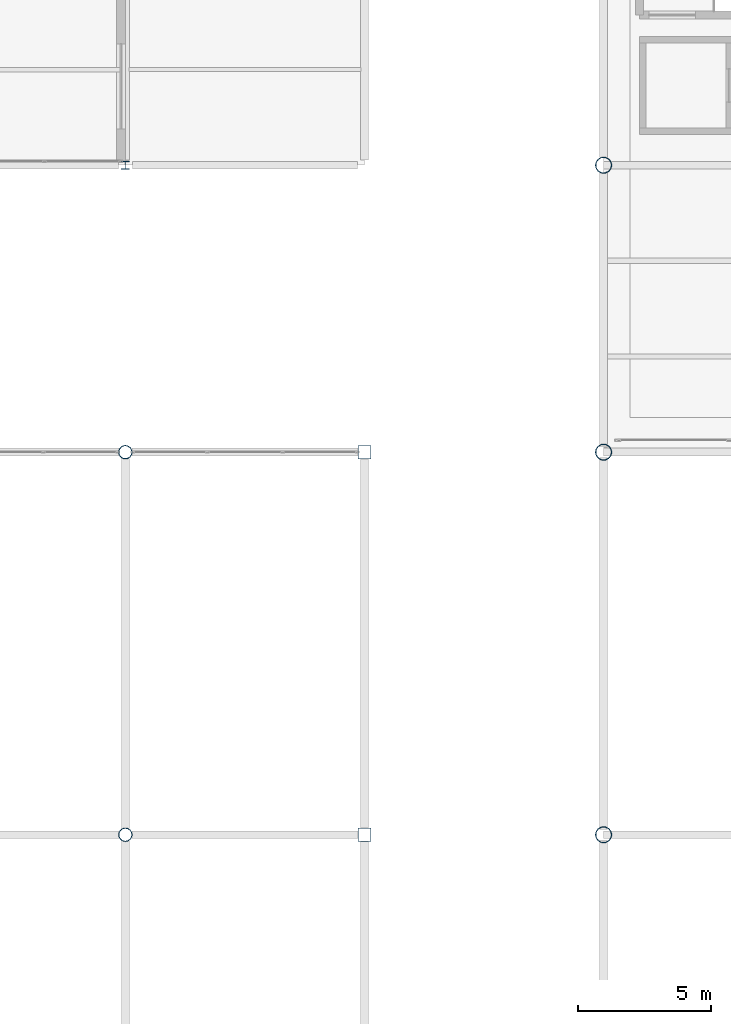
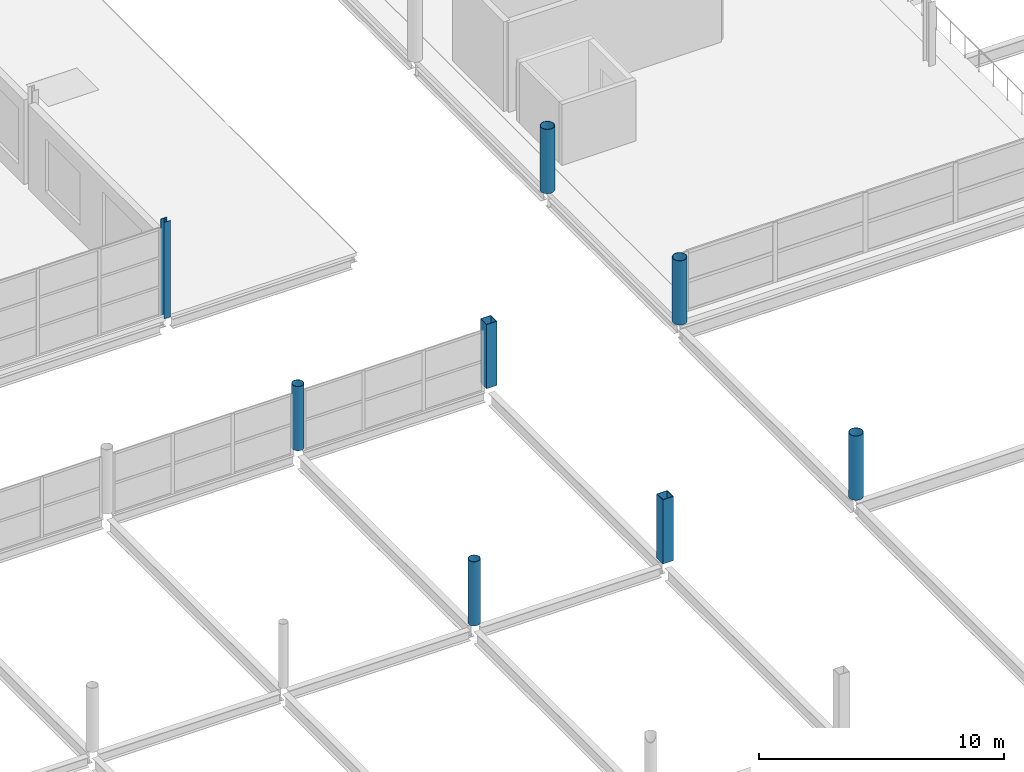
# One storey, part 8 of 134: 8 columns.
"""IFC4 building model written with IfcOpenShell, lengths in metres."""

from ifc_helpers import new_model, si_unit, direction, frame, origin, origin_2d, place, context, subcontext, project, spatial, hollow_rectangle, hollow_circle, i_section, extrude, material, material_profile, profile_set, type_object, element, save


model = new_model("IFC4")

# Units and contexts
model_context = context("Model", 3, precision=1e-05, world=origin(), true_north=direction((0.0, 1.0)))
body_context = subcontext(model_context, "Body", "Model", "MODEL_VIEW")
ifc_project = project(units=[si_unit("LENGTHUNIT", "METRE"), si_unit("AREAUNIT", "SQUARE_METRE"), si_unit("VOLUMEUNIT", "CUBIC_METRE"), si_unit("PLANEANGLEUNIT", "RADIAN"), si_unit("MASSUNIT", "GRAM", prefix="KILO")], contexts=[model_context])

# Site, building, storey
site_placement = place(None, origin())
site = spatial("IfcSite", under=ifc_project, at=site_placement, CompositionType="ELEMENT")
building_placement = place(site_placement, origin())
building = spatial("IfcBuilding", under=site, at=building_placement, Name="Tamarisk Ironworks Central Station", CompositionType="ELEMENT")
storey_placement = place(building_placement, frame((0.0, 0.0, 12.60009765625)))
storey = spatial("IfcBuildingStorey", under=building, at=storey_placement, Name="L02", CompositionType="ELEMENT", Elevation=12.60009765625)

# Columns
ifc_material_1 = material(Name="Structural steel S355J2", Category="steel")
ifc_material_profile_1 = material_profile(ifc_material_1, i_section(OverallWidth=0.300048828125, OverallDepth=0.300048828125, WebThickness=0.010986328125, FlangeThickness=0.01904296875, at=origin_2d()), Name="HEB 300")
ifc_profile_set_1 = profile_set([ifc_material_profile_1], Name="Structural steel S355J2")
column_type_1 = type_object("IfcColumnType", Name="COL-S12", PredefinedType="COLUMN", material=ifc_profile_set_1)
column_placement = place(storey_placement, frame((36.0, 90.0, 0.0), z_axis=(0.0, 0.0, 1.0), x_axis=(1.0, 0.0, 0.0)))
element("IfcColumn", 1, at=column_placement, inside=storey, type_object=column_type_1, Name="L02 column V4-05H", PredefinedType="COLUMN", context=body_context, shape_type="SweptSolid", body=[
    extrude(i_section(OverallWidth=0.300048828125, OverallDepth=0.300048828125, WebThickness=0.010986328125, FlangeThickness=0.01904296875, at=origin_2d()), origin(), (0.0, 0.0, 1.0), 4.7998046875),
])
ifc_material_2 = material(Name="Structural steel S355J2H", Category="steel")
ifc_material_profile_2 = material_profile(ifc_material_2, hollow_rectangle(XDim=0.5, YDim=0.5, WallThickness=0.02001953125, at=origin_2d()), Name="SHS 500x500x20")
ifc_profile_set_2 = profile_set([ifc_material_profile_2], Name="Structural steel S355J2H")
column_type_2 = type_object("IfcColumnType", Name="COL-S13", PredefinedType="COLUMN", material=ifc_profile_set_2)
for number, where, z_axis, x_axis, name in (
    (2, (45.0, 64.800048828125, 0.0), (0.0, 0.0, 1.0), (1.0, 0.0, 0.0), "L02 column V1-06F"),
    (3, (45.0, 79.199951171875, 0.0), (0.0, 0.0, 1.0), (1.0, 0.0, 0.0), "L02 column V1-06G"),
):
    element("IfcColumn", number, at=place(storey_placement, frame(where, z_axis=z_axis, x_axis=x_axis)), inside=storey, type_object=column_type_2, Name=name, PredefinedType="COLUMN", context=body_context, shape_type="SweptSolid", body=[
        extrude(hollow_rectangle(XDim=0.5, YDim=0.5, WallThickness=0.02001953125, at=origin_2d()), origin(), (0.0, 0.0, 1.0), 3.199951171875),
    ])
ifc_material_3 = material(Name="Painted structural steel S355J2", Category="steel")
ifc_material_profile_3 = material_profile(ifc_material_3, hollow_circle(Radius=0.304931640625, WallThickness=0.02001953125, at=origin_2d()), Name="CHS 610x20")
ifc_profile_set_3 = profile_set([ifc_material_profile_3], Name="Painted structural steel S355J2")
column_type_3 = type_object("IfcColumnType", Name="COL-S15", PredefinedType="COLUMN", material=ifc_profile_set_3)
for number, where, z_axis, x_axis, name in (
    (4, (54.0, 64.800048828125, 0.0), (0.0, 0.0, 1.0), (1.0, 0.0, 0.0), "L02 column V2-07F"),
    (5, (54.0, 79.199951171875, 0.0), (0.0, 0.0, 1.0), (1.0, 0.0, 0.0), "L02 column V2-07G"),
    (6, (54.0, 90.0, 0.0), (0.0, 0.0, 1.0), (1.0, 0.0, 0.0), "L02 column V2-07H"),
):
    element("IfcColumn", number, at=place(storey_placement, frame(where, z_axis=z_axis, x_axis=x_axis)), inside=storey, type_object=column_type_3, Name=name, PredefinedType="COLUMN", context=body_context, shape_type="SweptSolid", body=[
        extrude(hollow_circle(Radius=0.304931640625, WallThickness=0.02001953125, at=origin_2d()), origin(), (0.0, 0.0, 1.0), 3.199951171875),
    ])
ifc_material_profile_4 = material_profile(ifc_material_2, hollow_circle(Radius=0.25390625, WallThickness=0.01611328125, at=origin_2d()), Name="CHS 508x16")
ifc_profile_set_4 = profile_set([ifc_material_profile_4], Name="Structural steel S355J2H")
column_type_4 = type_object("IfcColumnType", Name="COL-S16", PredefinedType="COLUMN", material=ifc_profile_set_4)
for number, where, z_axis, x_axis, name in (
    (7, (36.0, 64.800048828125, 0.0), (0.0, 0.0, 1.0), (1.0, 0.0, 0.0), "L02 column V1-05F"),
    (8, (36.0, 79.199951171875, 0.0), (0.0, 0.0, 1.0), (1.0, 0.0, 0.0), "L02 column V1-05G"),
):
    element("IfcColumn", number, at=place(storey_placement, frame(where, z_axis=z_axis, x_axis=x_axis)), inside=storey, type_object=column_type_4, Name=name, PredefinedType="COLUMN", context=body_context, shape_type="SweptSolid", body=[
        extrude(hollow_circle(Radius=0.25390625, WallThickness=0.01611328125, at=origin_2d()), origin(), (0.0, 0.0, 1.0), 3.199951171875),
    ])

save(model, "model.ifc")
